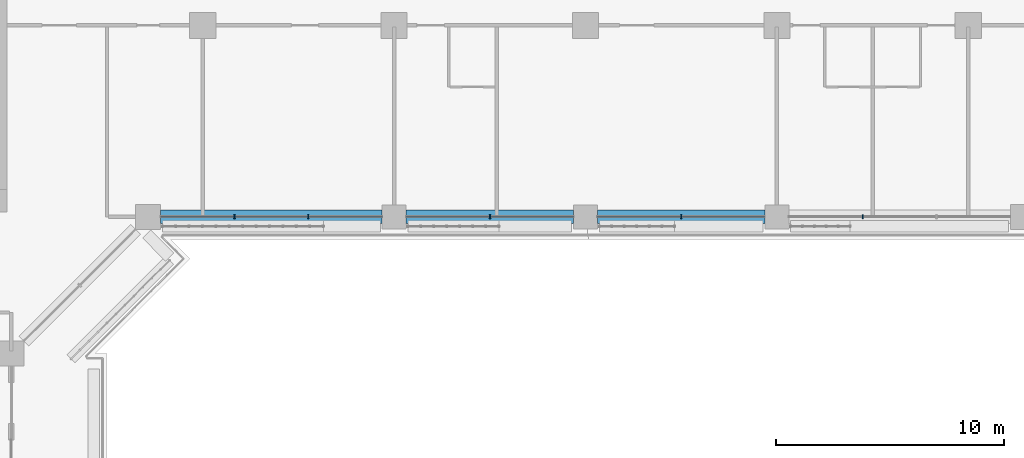
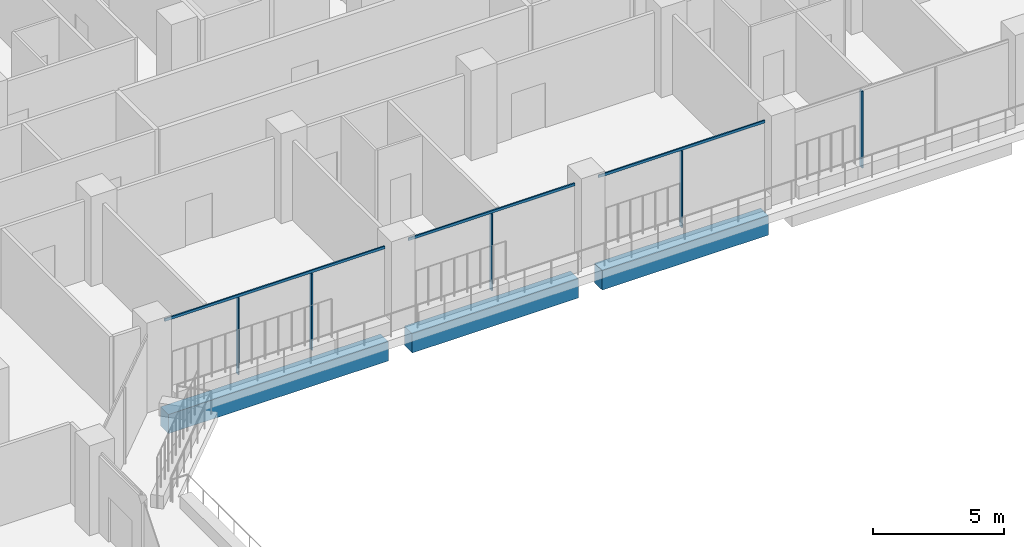
# One storey, part 5 of 23: 8 members, 3 beams, 1 element without a shape of its own.
"""IFC4 building model written with IfcOpenShell, lengths in metres."""

from ifc_helpers import new_model, si_unit, direction, frame, origin, origin_2d, place, context, subcontext, project, spatial, rectangle, extrude, material, layer, layer_set, material_profile, profile_set, type_object, element, aggregate, save


model = new_model("IFC4")

# Units and contexts
model_context = context("Model", 3, precision=1e-05, world=origin(), true_north=direction((0.0, 1.0)))
body_context = subcontext(model_context, "Body", "Model", "MODEL_VIEW")
ifc_project = project(units=[si_unit("LENGTHUNIT", "METRE"), si_unit("AREAUNIT", "SQUARE_METRE"), si_unit("VOLUMEUNIT", "CUBIC_METRE"), si_unit("PLANEANGLEUNIT", "RADIAN"), si_unit("MASSUNIT", "GRAM", prefix="KILO")], contexts=[model_context])

# Site, building, storey
site_placement = place(None, origin())
site = spatial("IfcSite", under=ifc_project, at=site_placement, CompositionType="ELEMENT")
building_placement = place(site_placement, origin())
building = spatial("IfcBuilding", under=site, at=building_placement, Name="Kawkab Arch Medical Tower", CompositionType="ELEMENT")
storey_placement = place(building_placement, frame((0.0, 0.0, 149.199951171875)))
storey = spatial("IfcBuildingStorey", under=building, at=storey_placement, Name="L34", CompositionType="ELEMENT", Elevation=149.199951171875)

# Curtain wall, members
ifc_material_1 = material(Name="Bronze anodised aluminium curtain wall frame", Category="aluminium")
ifc_layer = layer(ifc_material_1, 0.159912109375)
ifc_layer_set = layer_set([ifc_layer], Name="Bronze anodised aluminium curtain wall frame")
curtain_wall_type = type_object("IfcCurtainWallType", Name="CW1 ward curtain wall", PredefinedType="NOTDEFINED", material=ifc_layer_set)
curtain_wall_placement = place(storey_placement, origin())
curtain_wall = element("IfcCurtainWall", 1, at=curtain_wall_placement, inside=storey, type_object=curtain_wall_type, Name="CW1 Ward curtain wall R07", PredefinedType="NOTDEFINED")
ifc_material_2 = material(Name="Bronze anodised aluminium curtain wall frame", Category="aluminium")
ifc_material_profile_1 = material_profile(ifc_material_2, rectangle(XDim=0.179931640625, YDim=0.06005859375, at=origin_2d()), Name="AL 60x180")
ifc_profile_set_1 = profile_set([ifc_material_profile_1], Name="Bronze anodised aluminium curtain wall frame")
member_type_1 = type_object("IfcMemberType", Name="CW1 mullion 60 x 180", PredefinedType="MULLION", material=ifc_profile_set_1)
member_1_placement = place(storey_placement, frame((34.99169921875, -25.199951171875, 0.0), z_axis=(0.0, 0.0, 1.0), x_axis=(0.0, 1.0, 0.0)))
member_1 = element("IfcMember", 2, at=member_1_placement, type_object=member_type_1, Name="CW1 mullion 1.1", PredefinedType="MULLION", context=body_context, shape_type="SweptSolid", body=[
    extrude(rectangle(XDim=0.179931640625, YDim=0.06005859375, at=origin_2d()), origin(), (0.0, 0.0, 1.0), 3.580078125),
])
member_2_placement = place(storey_placement, frame((38.2333984375, -25.199951171875, 0.0), z_axis=(0.0, 0.0, 1.0), x_axis=(0.0, 1.0, 0.0)))
member_2 = element("IfcMember", 3, at=member_2_placement, type_object=member_type_1, Name="CW1 mullion 1.2", PredefinedType="MULLION", context=body_context, shape_type="SweptSolid", body=[
    extrude(rectangle(XDim=0.179931640625, YDim=0.06005859375, at=origin_2d()), origin(), (0.0, 0.0, 1.0), 3.580078125),
])
member_3_placement = place(storey_placement, frame((46.199951171875, -25.199951171875, 0.0), z_axis=(0.0, 0.0, 1.0), x_axis=(0.0, 1.0, 0.0)))
member_3 = element("IfcMember", 4, at=member_3_placement, type_object=member_type_1, Name="CW1 mullion 2.1", PredefinedType="MULLION", context=body_context, shape_type="SweptSolid", body=[
    extrude(rectangle(XDim=0.179931640625, YDim=0.06005859375, at=origin_2d()), origin(), (0.0, 0.0, 1.0), 3.580078125),
])
member_4_placement = place(storey_placement, frame((54.60009765625, -25.199951171875, 0.0), z_axis=(0.0, 0.0, 1.0), x_axis=(0.0, 1.0, 0.0)))
member_4 = element("IfcMember", 5, at=member_4_placement, type_object=member_type_1, Name="CW1 mullion 3.1", PredefinedType="MULLION", context=body_context, shape_type="SweptSolid", body=[
    extrude(rectangle(XDim=0.179931640625, YDim=0.06005859375, at=origin_2d()), origin(), (0.0, 0.0, 1.0), 3.580078125),
])
member_5_placement = place(storey_placement, frame((62.566650390625, -25.199951171875, 0.0), z_axis=(0.0, 0.0, 1.0), x_axis=(0.0, 1.0, 0.0)))
member_5 = element("IfcMember", 6, at=member_5_placement, type_object=member_type_1, Name="CW1 mullion 4.1", PredefinedType="MULLION", context=body_context, shape_type="SweptSolid", body=[
    extrude(rectangle(XDim=0.179931640625, YDim=0.06005859375, at=origin_2d()), origin(), (0.0, 0.0, 1.0), 3.580078125),
])
ifc_material_3 = material(Name="Bronze anodised aluminium curtain wall frame", Category="aluminium")
ifc_material_profile_2 = material_profile(ifc_material_3, rectangle(XDim=0.06005859375, YDim=0.1201171875, at=origin_2d()), Name="AL 60x120")
ifc_profile_set_2 = profile_set([ifc_material_profile_2], Name="Bronze anodised aluminium curtain wall frame")
member_type_2 = type_object("IfcMemberType", Name="CW1 transom 120 x 60", PredefinedType="USERDEFINED", material=ifc_profile_set_2)
member_6_placement = place(storey_placement, frame((31.75, -25.199951171875, 3.64013671875), z_axis=(1.0, 0.0, 0.0), x_axis=(0.0, 1.0, 0.0)))
member_6 = element("IfcMember", 7, at=member_6_placement, type_object=member_type_2, Name="CW1 transom 1", ObjectType="TRANSOM", PredefinedType="USERDEFINED", context=body_context, shape_type="SweptSolid", body=[
    extrude(rectangle(XDim=0.06005859375, YDim=0.1201171875, at=origin_2d()), origin(), (0.0, 0.0, 1.0), 9.72509765625),
])
member_7_placement = place(storey_placement, frame((42.52490234375, -25.199951171875, 3.64013671875), z_axis=(1.0, 0.0, 0.0), x_axis=(0.0, 1.0, 0.0)))
member_7 = element("IfcMember", 8, at=member_7_placement, type_object=member_type_2, Name="CW1 transom 2", ObjectType="TRANSOM", PredefinedType="USERDEFINED", context=body_context, shape_type="SweptSolid", body=[
    extrude(rectangle(XDim=0.06005859375, YDim=0.1201171875, at=origin_2d()), origin(), (0.0, 0.0, 1.0), 7.35009765625),
])
member_8_placement = place(storey_placement, frame((50.925048828125, -25.199951171875, 3.64013671875), z_axis=(1.0, 0.0, 0.0), x_axis=(0.0, 1.0, 0.0)))
member_8 = element("IfcMember", 9, at=member_8_placement, type_object=member_type_2, Name="CW1 transom 3", ObjectType="TRANSOM", PredefinedType="USERDEFINED", context=body_context, shape_type="SweptSolid", body=[
    extrude(rectangle(XDim=0.06005859375, YDim=0.1201171875, at=origin_2d()), origin(), (0.0, 0.0, 1.0), 7.349853515625),
])
aggregate(curtain_wall, [member_6, member_1, member_2, member_7, member_3, member_8, member_4, member_5])

# Beams
ifc_material_4 = material(Name="Concrete C55/67", Category="concrete")
ifc_material_profile_3 = material_profile(ifc_material_4, rectangle(XDim=0.60009765625, YDim=0.89990234375, at=origin_2d()), Name="RC 600x900")
ifc_profile_set_3 = profile_set([ifc_material_profile_3], Name="Concrete C55/67")
beam_type = type_object("IfcBeamType", Name="RC 600x900 beam C55/67", PredefinedType="BEAM", material=ifc_profile_set_3)
beam_1_placement = place(storey_placement, frame((58.27490234375, -25.199951171875, -1.050048828125), z_axis=(-1.0, 0.0, 0.0), x_axis=(0.0, -1.0, 0.0)))
element("IfcBeam", 10, at=beam_1_placement, inside=storey, type_object=beam_type, Name="Overhang edge beam L34-03", PredefinedType="BEAM", context=body_context, shape_type="SweptSolid", body=[
    extrude(rectangle(XDim=0.60009765625, YDim=0.89990234375, at=origin_2d()), origin(), (0.0, 0.0, 1.0), 7.349853515625),
])
beam_2_placement = place(storey_placement, frame((49.875, -25.199951171875, -1.050048828125), z_axis=(-1.0, 0.0, 0.0), x_axis=(0.0, -1.0, 0.0)))
element("IfcBeam", 11, at=beam_2_placement, inside=storey, type_object=beam_type, Name="Overhang edge beam L34-04", PredefinedType="BEAM", context=body_context, shape_type="SweptSolid", body=[
    extrude(rectangle(XDim=0.60009765625, YDim=0.89990234375, at=origin_2d()), origin(), (0.0, 0.0, 1.0), 7.35009765625),
])
beam_3_placement = place(storey_placement, frame((41.47509765625, -25.199951171875, -1.050048828125), z_axis=(-1.0, 0.0, 0.0), x_axis=(0.0, -1.0, 0.0)))
element("IfcBeam", 12, at=beam_3_placement, inside=storey, type_object=beam_type, Name="Overhang edge beam L34-05", PredefinedType="BEAM", context=body_context, shape_type="SweptSolid", body=[
    extrude(rectangle(XDim=0.60009765625, YDim=0.89990234375, at=origin_2d()), origin(), (0.0, 0.0, 1.0), 9.72509765625),
])

save(model, "model.ifc")
